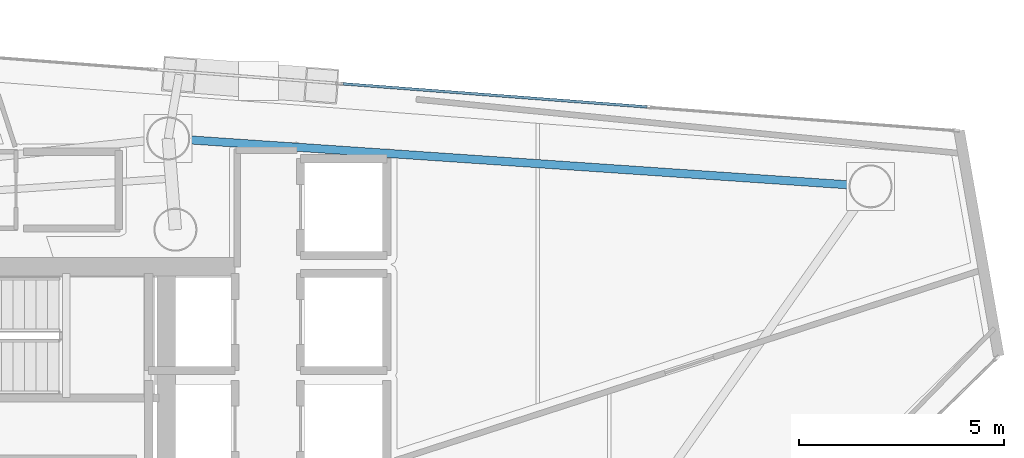
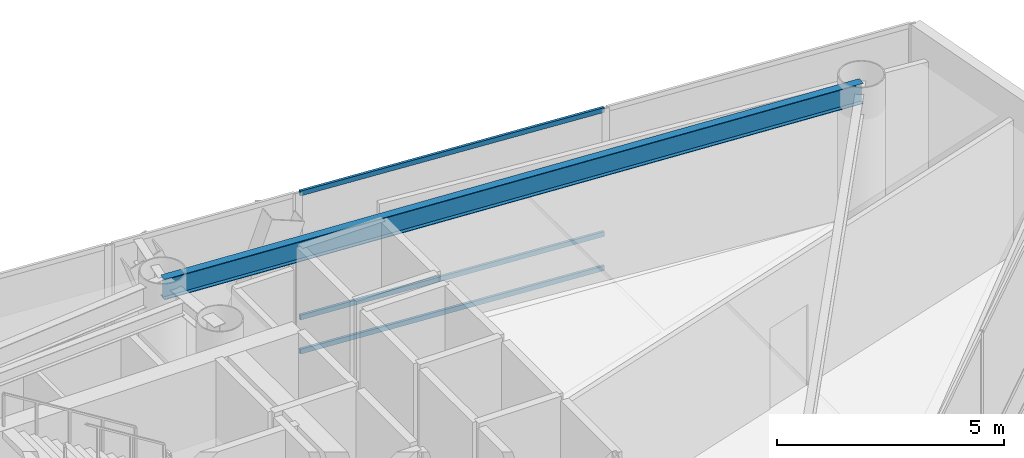
# One storey, part 14 of 21: 3 members, 1 beam, 1 element without a shape of its own.
"""IFC4 building model written with IfcOpenShell, lengths in metres."""

from ifc_helpers import new_model, si_unit, direction, frame, origin, origin_2d, place, context, subcontext, project, spatial, hollow_rectangle, i_section, extrude, material, layer, layer_set, material_profile, profile_set, type_object, element, aggregate, save


model = new_model("IFC4")

# Units and contexts
model_context = context("Model", 3, precision=1e-05, world=origin(), true_north=direction((0.0, 1.0)))
body_context = subcontext(model_context, "Body", "Model", "MODEL_VIEW")
ifc_project = project(units=[si_unit("LENGTHUNIT", "METRE"), si_unit("AREAUNIT", "SQUARE_METRE"), si_unit("VOLUMEUNIT", "CUBIC_METRE"), si_unit("PLANEANGLEUNIT", "RADIAN"), si_unit("MASSUNIT", "GRAM", prefix="KILO")], contexts=[model_context])

# Site, building, storey
site_placement = place(None, origin())
site = spatial("IfcSite", under=ifc_project, at=site_placement, CompositionType="ELEMENT")
building_placement = place(site_placement, origin())
building = spatial("IfcBuilding", under=site, at=building_placement, Name="Qianvela Tower", CompositionType="ELEMENT")
storey_placement = place(building_placement, frame((0.0, 0.0, 234.5)))
storey = spatial("IfcBuildingStorey", under=building, at=storey_placement, Name="L60", CompositionType="ELEMENT", Elevation=234.5)

# Beam
ifc_material_1 = material(Name="Steel Q355B", Category="steel")
ifc_material_profile_1 = material_profile(ifc_material_1, i_section(OverallWidth=0.199951171875, OverallDepth=0.550048828125, WebThickness=0.010009765625, FlangeThickness=0.01611328125, at=origin_2d()), Name="HN550x200x10x16")
ifc_profile_set_1 = profile_set([ifc_material_profile_1], Name="Steel Q355B")
beam_type = type_object("IfcBeamType", Name="BM-HN550-GIRD", PredefinedType="BEAM", material=ifc_profile_set_1)
beam_placement = place(storey_placement, frame((55.33203125, 34.60498046875, 4.04296875), z_axis=(-0.997677407473, 0.068116008525, 0.0), x_axis=(-0.068116008525, -0.997677407473, 0.0)))
element("IfcBeam", 1, at=beam_placement, inside=storey, type_object=beam_type, Name="L60 Perimeter Ring Spandrel Girder 1", PredefinedType="BEAM", context=body_context, shape_type="SweptSolid", body=[
    extrude(i_section(OverallWidth=0.199951171875, OverallDepth=0.550048828125, WebThickness=0.010009765625, FlangeThickness=0.01611328125, at=origin_2d()), origin(), (0.0, 0.0, 1.0), 17.146728515625),
])

# Curtain wall, members
ifc_material_2 = material(Name="Anodised Architectural Aluminium and Low-E Glass", Category="aluminium")
ifc_layer = layer(ifc_material_2, 0.18994140625)
ifc_layer_set = layer_set([ifc_layer], Name="Anodised Architectural Aluminium and Low-E Glass")
curtain_wall_type = type_object("IfcCurtainWallType", Name="CW-SKYLOBBY", PredefinedType="USERDEFINED", material=ifc_layer_set)
curtain_wall_placement = place(storey_placement, origin())
curtain_wall = element("IfcCurtainWall", 2, at=curtain_wall_placement, inside=storey, type_object=curtain_wall_type, Name="L60 CW-SKYLOBBY Curtain Wall 02A", ObjectType="CURTAIN_WALL_SYSTEM", PredefinedType="USERDEFINED")
ifc_material_3 = material(Name="Anodised Architectural Aluminium 6063-T6", Category="aluminium")
ifc_material_profile_2 = material_profile(ifc_material_3, hollow_rectangle(XDim=0.06494140625, YDim=0.1298828125, WallThickness=0.00439453125, at=origin_2d()), Name="ALU-TRAN-65x130")
ifc_profile_set_2 = profile_set([ifc_material_profile_2], Name="Anodised Architectural Aluminium 6063-T6")
member_type = type_object("IfcMemberType", Name="CW-SKYLOBBY-TRAN", PredefinedType="USERDEFINED", material=ifc_profile_set_2)
member_1_placement = place(storey_placement, frame((49.89208984375, 36.5390625, 0.032470703125), z_axis=(-0.997117544106, 0.075872282397, 0.0), x_axis=(-0.075872282397, -0.997117544106, 0.0)))
member_1 = element("IfcMember", 3, at=member_1_placement, type_object=member_type, Name="CW-7 transom 2.1", ObjectType="TRANSOM", PredefinedType="USERDEFINED", context=body_context, shape_type="SweptSolid", body=[
    extrude(hollow_rectangle(XDim=0.06494140625, YDim=0.1298828125, WallThickness=0.00439453125, at=origin_2d()), origin(), (0.0, 0.0, 1.0), 7.429931640625),
])
member_2_placement = place(storey_placement, frame((49.89208984375, 36.5390625, 0.949951171875), z_axis=(-0.997117544106, 0.075872282397, 0.0), x_axis=(-0.075872282397, -0.997117544106, 0.0)))
member_2 = element("IfcMember", 4, at=member_2_placement, type_object=member_type, Name="CW-7 transom 2.2", ObjectType="TRANSOM", PredefinedType="USERDEFINED", context=body_context, shape_type="SweptSolid", body=[
    extrude(hollow_rectangle(XDim=0.06494140625, YDim=0.1298828125, WallThickness=0.00439453125, at=origin_2d()), origin(), (0.0, 0.0, 1.0), 7.429931640625),
])
member_3_placement = place(storey_placement, frame((49.89208984375, 36.5390625, 4.28759765625), z_axis=(-0.997117544106, 0.075872282397, 0.0), x_axis=(-0.075872282397, -0.997117544106, 0.0)))
member_3 = element("IfcMember", 5, at=member_3_placement, type_object=member_type, Name="CW-7 transom 2.3", ObjectType="TRANSOM", PredefinedType="USERDEFINED", context=body_context, shape_type="SweptSolid", body=[
    extrude(hollow_rectangle(XDim=0.06494140625, YDim=0.1298828125, WallThickness=0.00439453125, at=origin_2d()), origin(), (0.0, 0.0, 1.0), 7.429931640625),
])
aggregate(curtain_wall, [member_1, member_2, member_3])

save(model, "model.ifc")
